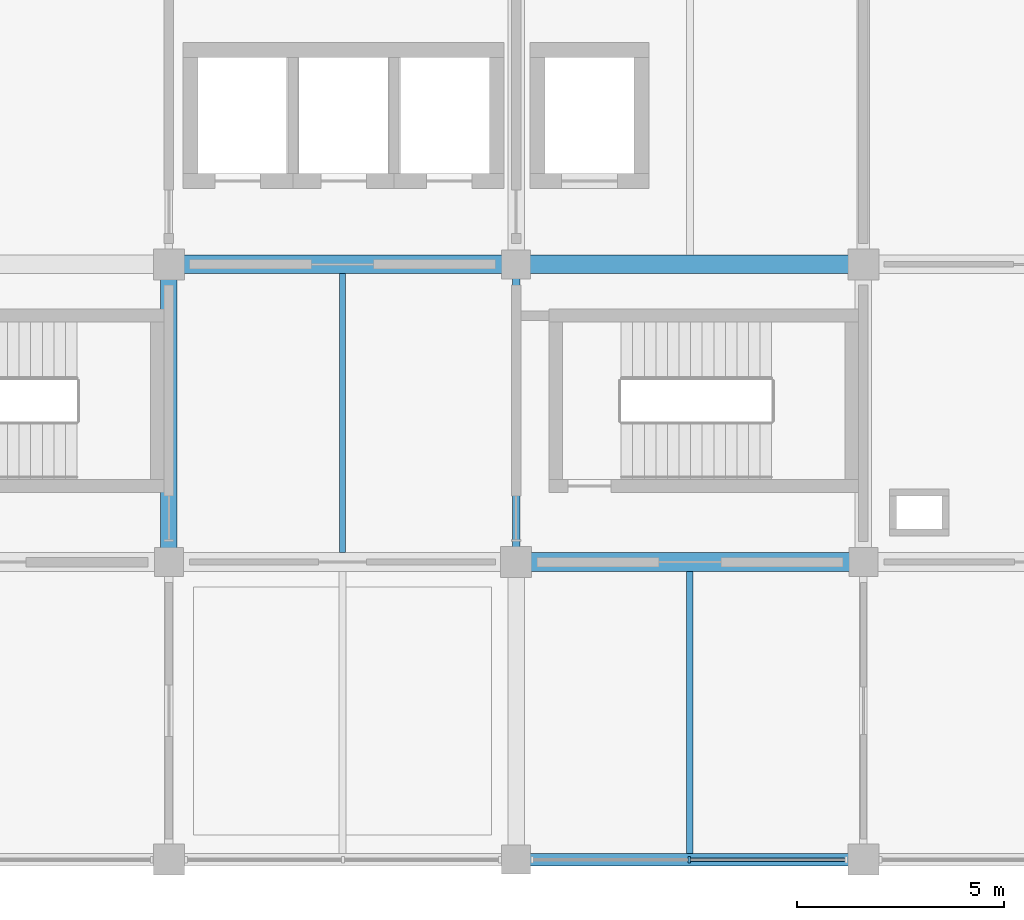
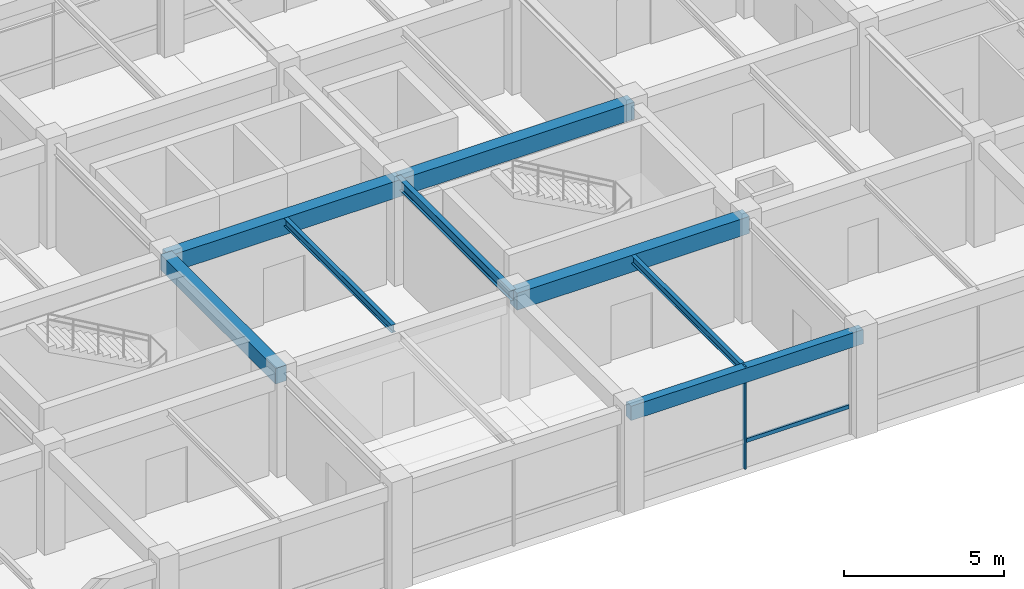
# One storey, part 3 of 13: 8 beams, 2 members, 1 element without a shape of its own.
"""IFC4 building model written with IfcOpenShell, lengths in metres."""

from ifc_helpers import new_model, si_unit, derived_unit, direction, frame, origin, origin_2d, place, context, subcontext, project, spatial, rectangle, i_section, extrude, material, material_profile, profile_set, type_object, element, aggregate, save


model = new_model("IFC4")

# Units and contexts
model_context = context("Model", 3, precision=1e-05, world=origin(), true_north=direction((0.0, 1.0)))
body_context = subcontext(model_context, "Body", "Model", "MODEL_VIEW")
ifc_project = project(units=[si_unit("LENGTHUNIT", "METRE"), si_unit("AREAUNIT", "SQUARE_METRE"), si_unit("VOLUMEUNIT", "CUBIC_METRE"), si_unit("PLANEANGLEUNIT", "RADIAN"), si_unit("MASSUNIT", "GRAM", prefix="KILO"), derived_unit("THERMALTRANSMITTANCEUNIT", [(si_unit("MASSUNIT", "GRAM", prefix="KILO"), 1), (si_unit("TIMEUNIT", "SECOND"), -3), (si_unit("THERMODYNAMICTEMPERATUREUNIT", "KELVIN"), -1)])], contexts=[model_context])

# Site, building, storey
site_placement = place(None, origin())
site = spatial("IfcSite", under=ifc_project, at=site_placement, CompositionType="ELEMENT")
building_placement = place(site_placement, origin())
building = spatial("IfcBuilding", under=site, at=building_placement, Name="Veldstrom Oceanarium and Marine Research Institute", CompositionType="ELEMENT")
storey_placement = place(building_placement, frame((0.0, 0.0, 31.199951171875)))
storey = spatial("IfcBuildingStorey", under=building, at=storey_placement, Name="L06", CompositionType="ELEMENT", Elevation=31.199951171875)

# Curtain wall, members
ifc_material_1 = material(Name="Anodised Aluminium Framing", Category="aluminium")
curtain_wall_type = type_object("IfcCurtainWallType", Name="ARC-CW-CW04", PredefinedType="USERDEFINED", material=ifc_material_1)
curtain_wall_placement = place(storey_placement, origin())
curtain_wall = element("IfcCurtainWall", 1, at=curtain_wall_placement, inside=storey, type_object=curtain_wall_type, Name="Curtain Wall CW04 CW-L06-106", ObjectType="Curtain wall", PredefinedType="USERDEFINED")
ifc_material_2 = material(Name="Anodised Aluminium Framing", Category="aluminium")
ifc_material_profile_1 = material_profile(ifc_material_2, rectangle(XDim=0.06494140625, YDim=0.14990234375, at=origin_2d()), Name="ALU-MUL-65x150")
ifc_profile_set_1 = profile_set([ifc_material_profile_1], Name="Anodised Aluminium Framing")
member_type_1 = type_object("IfcMemberType", Name="ARC-MUL-ML2", PredefinedType="MULLION", material=ifc_profile_set_1)
member_1_placement = place(storey_placement, frame((96.58740234375, 43.199951171875, 0.0), z_axis=(0.0, 0.0, 1.0), x_axis=(1.0, 0.0, 0.0)))
member_1 = element("IfcMember", 2, at=member_1_placement, type_object=member_type_1, Name="Curtain Wall Mullion CW-L06-106-MUL-2", PredefinedType="MULLION", context=body_context, shape_type="SweptSolid", body=[
    extrude(rectangle(XDim=0.06494140625, YDim=0.14990234375, at=origin_2d()), origin(), (0.0, 0.0, 1.0), 3.920166015625),
])
ifc_material_3 = material(Name="Anodised Aluminium Framing", Category="aluminium")
ifc_material_profile_2 = material_profile(ifc_material_3, rectangle(XDim=0.074951171875, YDim=0.14990234375, at=origin_2d()), Name="ALU-TRN-75x150")
ifc_profile_set_2 = profile_set([ifc_material_profile_2], Name="Anodised Aluminium Framing")
member_type_2 = type_object("IfcMemberType", Name="ARC-TRN-TR1", PredefinedType="USERDEFINED", material=ifc_profile_set_2)
member_2_placement = place(storey_placement, frame((96.62744140625, 43.199951171875, 1.050048828125), z_axis=(1.0, 0.0, 0.0), x_axis=(0.0, 1.0, 0.0)))
member_2 = element("IfcMember", 3, at=member_2_placement, type_object=member_type_2, Name="Curtain Wall Transom CW-L06-106-TRN-2", ObjectType="Transom", PredefinedType="USERDEFINED", context=body_context, shape_type="SweptSolid", body=[
    extrude(rectangle(XDim=0.074951171875, YDim=0.14990234375, at=origin_2d()), origin(), (0.0, 0.0, 1.0), 3.717529296875),
])
aggregate(curtain_wall, [member_1, member_2])

# Beams
ifc_material_4 = material(Name="Concrete C40/50", Category="concrete")
ifc_material_profile_3 = material_profile(ifc_material_4, rectangle(XDim=0.449951171875, YDim=0.64990234375, at=origin_2d()), Name="RC-BM-450x650")
ifc_profile_set_3 = profile_set([ifc_material_profile_3], Name="Concrete C40/50")
beam_type_1 = type_object("IfcBeamType", Name="STR-BM-B05", PredefinedType="BEAM", material=ifc_profile_set_3)
beam_1_placement = place(storey_placement, frame((84.0, 57.60009765625, 3.590087890625), z_axis=(1.0, 0.0, 0.0), x_axis=(0.0, 1.0, 0.0)))
element("IfcBeam", 4, at=beam_1_placement, inside=storey, type_object=beam_type_1, Name="Primary Beam B05 L06-2265", PredefinedType="BEAM", context=body_context, shape_type="SweptSolid", body=[
    extrude(rectangle(XDim=0.449951171875, YDim=0.64990234375, at=origin_2d()), origin(), (0.0, 0.0, 1.0), 8.39990234375),
])
for number, where, z_axis, x_axis, name in (
    (5, (92.39990234375, 50.39990234375, 3.590087890625), (1.0, 0.0, 0.0), (0.0, 1.0, 0.0), "Primary Beam B05 L06-2269"),
    (6, (92.39990234375, 57.60009765625, 3.590087890625), (1.0, 0.0, 0.0), (0.0, 1.0, 0.0), "Primary Beam B05 L06-2270"),
):
    element("IfcBeam", number, at=place(storey_placement, frame(where, z_axis=z_axis, x_axis=x_axis)), inside=storey, type_object=beam_type_1, Name=name, PredefinedType="BEAM", context=body_context, shape_type="SweptSolid", body=[
        extrude(rectangle(XDim=0.449951171875, YDim=0.64990234375, at=origin_2d()), origin(), (0.0, 0.0, 1.0), 8.400146484375),
    ])
ifc_material_5 = material(Name="Concrete C40/50", Category="concrete")
ifc_material_profile_4 = material_profile(ifc_material_5, rectangle(XDim=0.39990234375, YDim=0.60009765625, at=origin_2d()), Name="RC-BM-400x600")
ifc_profile_set_4 = profile_set([ifc_material_profile_4], Name="Concrete C40/50")
beam_type_2 = type_object("IfcBeamType", Name="STR-BM-B06", PredefinedType="BEAM", material=ifc_profile_set_4)
beam_2_placement = place(storey_placement, frame((84.0, 50.39990234375, 3.614990234375), z_axis=(0.0, 1.0, 0.0), x_axis=(-1.0, 0.0, 0.0)))
element("IfcBeam", 7, at=beam_2_placement, inside=storey, type_object=beam_type_2, Name="Primary Beam B06 L06-2292", PredefinedType="BEAM", context=body_context, shape_type="SweptSolid", body=[
    extrude(rectangle(XDim=0.39990234375, YDim=0.60009765625, at=origin_2d()), origin(), (0.0, 0.0, 1.0), 7.2001953125),
])
ifc_material_6 = material(Name="Steel S355JR", Category="steel")
ifc_material_profile_5 = material_profile(ifc_material_6, i_section(OverallWidth=0.179931640625, OverallDepth=0.39990234375, WebThickness=0.008544921875, FlangeThickness=0.013427734375, FilletRadius=0.02099609375, at=origin_2d()), Name="IPE 400")
ifc_profile_set_5 = profile_set([ifc_material_profile_5], Name="Steel S355JR")
beam_type_3 = type_object("IfcBeamType", Name="STR-BM-SB8", PredefinedType="BEAM", material=ifc_profile_set_5)
beam_3_placement = place(storey_placement, frame((92.39990234375, 50.39990234375, 3.715087890625), z_axis=(0.0, 1.0, 0.0), x_axis=(-1.0, 0.0, 0.0)))
element("IfcBeam", 8, at=beam_3_placement, inside=storey, type_object=beam_type_3, Name="Steel Tie Beam SB8 L06-2296", PredefinedType="BEAM", context=body_context, shape_type="SweptSolid", body=[
    extrude(i_section(OverallWidth=0.179931640625, OverallDepth=0.39990234375, WebThickness=0.008544921875, FlangeThickness=0.013427734375, FilletRadius=0.02099609375, at=origin_2d()), origin(), (0.0, 0.0, 1.0), 7.2001953125),
])
ifc_material_7 = material(Name="Steel S355JR", Category="steel")
ifc_material_profile_6 = material_profile(ifc_material_7, i_section(OverallWidth=0.14990234375, OverallDepth=0.300048828125, WebThickness=0.007080078125, FlangeThickness=0.0107421875, FilletRadius=0.014892578125, at=origin_2d()), Name="IPE 300")
ifc_profile_set_6 = profile_set([ifc_material_profile_6], Name="Steel S355JR")
beam_type_4 = type_object("IfcBeamType", Name="STR-JST-SJ2", PredefinedType="JOIST", material=ifc_profile_set_6)
beam_4_placement = place(storey_placement, frame((88.199951171875, 50.625, 3.76513671875), z_axis=(0.0, 1.0, 0.0), x_axis=(-1.0, 0.0, 0.0)))
element("IfcBeam", 9, at=beam_4_placement, inside=storey, type_object=beam_type_4, Name="Secondary Joist SJ2 L06-2319", PredefinedType="JOIST", context=body_context, shape_type="SweptSolid", body=[
    extrude(i_section(OverallWidth=0.14990234375, OverallDepth=0.300048828125, WebThickness=0.007080078125, FlangeThickness=0.0107421875, FilletRadius=0.014892578125, at=origin_2d()), origin(), (0.0, 0.0, 1.0), 6.75),
])
beam_5_placement = place(storey_placement, frame((96.60009765625, 43.35009765625, 3.76513671875), z_axis=(0.0, 1.0, 0.0), x_axis=(-1.0, 0.0, 0.0)))
element("IfcBeam", 10, at=beam_5_placement, inside=storey, type_object=beam_type_4, Name="Secondary Joist SJ2 L06-2321", PredefinedType="JOIST", context=body_context, shape_type="SweptSolid", body=[
    extrude(i_section(OverallWidth=0.14990234375, OverallDepth=0.300048828125, WebThickness=0.007080078125, FlangeThickness=0.0107421875, FilletRadius=0.014892578125, at=origin_2d()), origin(), (0.0, 0.0, 1.0), 6.824951171875),
])
ifc_material_8 = material(Name="Concrete C40/50", Category="concrete")
ifc_material_profile_7 = material_profile(ifc_material_8, rectangle(XDim=0.300048828125, YDim=0.550048828125, at=origin_2d()), Name="RC-SPN-300x550")
ifc_profile_set_7 = profile_set([ifc_material_profile_7], Name="Concrete C40/50")
beam_type_5 = type_object("IfcBeamType", Name="STR-SPN-SP2", PredefinedType="SPANDREL", material=ifc_profile_set_7)
beam_6_placement = place(storey_placement, frame((92.39990234375, 43.199951171875, 3.64013671875), z_axis=(1.0, 0.0, 0.0), x_axis=(0.0, 1.0, 0.0)))
element("IfcBeam", 11, at=beam_6_placement, inside=storey, type_object=beam_type_5, Name="Perimeter Spandrel SPB2 L06-2268", PredefinedType="SPANDREL", context=body_context, shape_type="SweptSolid", body=[
    extrude(rectangle(XDim=0.300048828125, YDim=0.550048828125, at=origin_2d()), origin(), (0.0, 0.0, 1.0), 8.400146484375),
])

save(model, "model.ifc")
